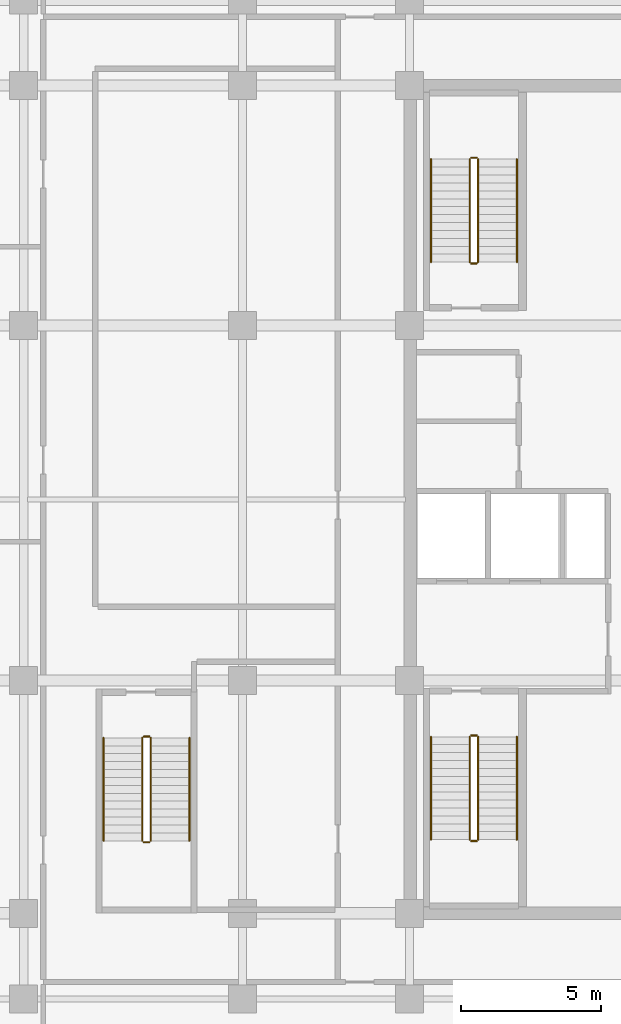
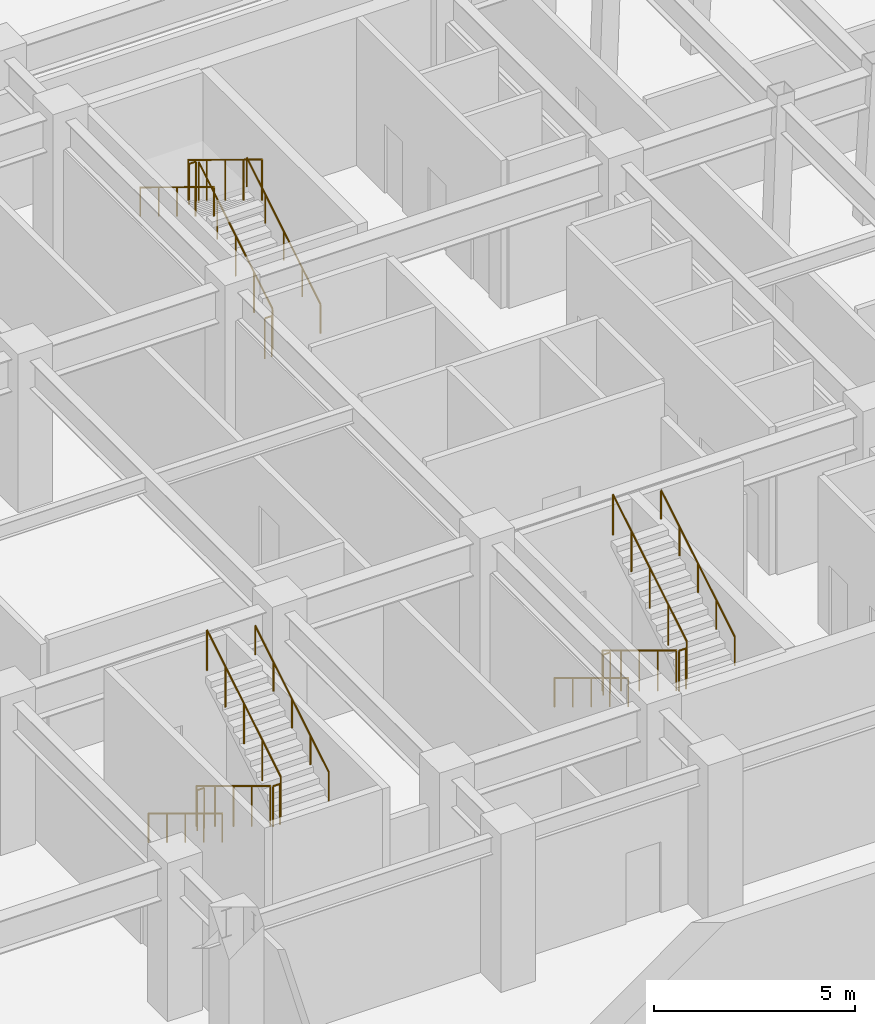
# One storey, part 9 of 9: 18 railings.
"""IFC4 building model written with IfcOpenShell, lengths in metres."""

import ifcopenshell
import ifcopenshell.guid

model = None  # the IFC model being written
_history = None  # IfcOwnerHistory: only IFC2X3 demands one
_inside = {}  # id of a spatial element -> (the spatial element, [elements in it])
_under = {}  # id of a project, library or spatial element -> (it, [spatial elements below it])
_declared = {}  # id of a project -> (the project, [libraries it declares])
_typed = {}  # id of a type object -> (the type object, [elements of that type])
_made_of = {}  # id of a material, layer set ... -> (it, [elements and type objects made of it])


def new_model(schema):
    """Start an empty IFC model of exactly this schema.

    Asked for "IFC4X3", IfcOpenShell would pick the latest addendum, in which some entities
    have other attributes; the version numbers below select the first issue.
    IFC2X3 requires an IfcOwnerHistory on every rooted entity: one is made here for all.
    """
    global model, _history
    if schema == "IFC4X3":
        model = ifcopenshell.file(schema_version=(4, 3, 0, 0))
    else:
        model = ifcopenshell.file(schema=schema)
    _inside.clear()
    _under.clear()
    _declared.clear()
    _typed.clear()
    _made_of.clear()
    _history = None
    if model.schema == "IFC2X3":
        org = make("IfcOrganization", Name="unknown")
        user = make(
            "IfcPersonAndOrganization",
            ThePerson=make("IfcPerson", FamilyName="unknown"),
            TheOrganization=org,
        )
        app = make(
            "IfcApplication",
            ApplicationDeveloper=org,
            Version="unknown",
            ApplicationFullName="unknown",
            ApplicationIdentifier="unknown",
        )
        _history = make(
            "IfcOwnerHistory",
            OwningUser=user,
            OwningApplication=app,
            ChangeAction="ADDED",
            CreationDate=0,
        )
    return model


def make(cls, **values):
    """One entity of the class cls with the attributes given. An attribute that is None is left unset."""
    return model.create_entity(
        cls, **{name: value for name, value in values.items() if value is not None}
    )


def rooted(cls, **values):
    """An entity with a GlobalId (a new one), such as an element, a storey or a relation."""
    return make(cls, GlobalId=ifcopenshell.guid.new(), OwnerHistory=_history, **values)


def si_unit(unit_type, name, prefix=None):
    """IfcSIUnit, for example si_unit("LENGTHUNIT", "METRE", prefix="MILLI")."""
    return make("IfcSIUnit", UnitType=unit_type, Prefix=prefix, Name=name)


def assignment(units):
    """IfcUnitAssignment: the units of a project."""
    return None if units is None else make("IfcUnitAssignment", Units=units)


def point(xyz):
    """IfcCartesianPoint."""
    return None if xyz is None else make("IfcCartesianPoint", Coordinates=xyz)


def direction(xyz):
    """IfcDirection."""
    return None if xyz is None else make("IfcDirection", DirectionRatios=xyz)


def frame(location, z_axis=None, x_axis=None):
    """IfcAxis2Placement3D, a coordinate frame: its origin and axes. An axis left out is left unset."""
    return make(
        "IfcAxis2Placement3D",
        Location=point(location),
        Axis=direction(z_axis),
        RefDirection=direction(x_axis),
    )


def frame_2d(location, x_axis=None):
    """IfcAxis2Placement2D, a coordinate frame in the plane: its origin and x axis."""
    return make(
        "IfcAxis2Placement2D", Location=point(location), RefDirection=direction(x_axis)
    )


def origin():
    """The frame at (0, 0, 0) with its axes left unset."""
    return frame((0.0, 0.0, 0.0))


def origin_2d():
    """The frame at (0, 0) in the plane with its x axis left unset."""
    return frame_2d((0.0, 0.0))


def place(relative_to, where):
    """IfcLocalPlacement: puts the frame where relative to a parent placement (None: the world)."""
    return make(
        "IfcLocalPlacement", PlacementRelTo=relative_to, RelativePlacement=where
    )


def context(
    kind, dimensions, precision=None, world=None, true_north=None, identifier=None
):
    """IfcGeometricRepresentationContext, for example the 3D "Model" context."""
    return make(
        "IfcGeometricRepresentationContext",
        ContextIdentifier=identifier,
        ContextType=kind,
        CoordinateSpaceDimension=dimensions,
        Precision=precision,
        WorldCoordinateSystem=world,
        TrueNorth=true_north,
    )


def subcontext(parent, identifier, kind, view, scale=None):
    """IfcGeometricRepresentationSubContext, for example "Body" below "Model"."""
    return make(
        "IfcGeometricRepresentationSubContext",
        ContextIdentifier=identifier,
        ContextType=kind,
        ParentContext=parent,
        TargetScale=scale,
        TargetView=view,
    )


def project(units=None, contexts=None):
    """IfcProject with its units and contexts."""
    return rooted(
        "IfcProject",
        Name="project",
        RepresentationContexts=contexts,
        UnitsInContext=assignment(units),
    )


def spatial(cls, under=None, at=None, **own):
    """A site, building, storey or space (cls), placed at a placement, below another one or the project."""
    s = rooted(cls, ObjectPlacement=at, **own)
    if under is not None:
        _under.setdefault(under.id(), (under, []))[1].append(s)
    return s


def profile(cls, at=None, kind="AREA", **sizes):
    """A parametric profile (cls). Its sizes go by their IFC names, for example OverallWidth=200.0."""
    return make(cls, ProfileType=kind, Position=at, **sizes)


def circle(**sizes):
    """IfcCircleProfileDef."""
    return profile("IfcCircleProfileDef", **sizes)


def extrude(swept, where, along, depth):
    """IfcExtrudedAreaSolid: the profile swept, set in the frame where, extruded along a direction by depth."""
    return make(
        "IfcExtrudedAreaSolid",
        SweptArea=swept,
        Position=where,
        ExtrudedDirection=direction(along),
        Depth=depth,
    )


def shape(context_of_items, identifier, shape_type, items):
    """IfcShapeRepresentation: the items that make up one representation, for example the "Body"."""
    return make(
        "IfcShapeRepresentation",
        ContextOfItems=context_of_items,
        RepresentationIdentifier=identifier,
        RepresentationType=shape_type,
        Items=items,
    )


def material(Name=None, Category=None):
    """IfcMaterial."""
    return make("IfcMaterial", Name=Name, Category=Category)


def made_of(thing, what):
    """Note that an element or type object is made of a material, layer set ...; save() writes the relation."""
    if what is not None:
        _made_of.setdefault(what.id(), (what, []))[1].append(thing)
    return thing


def type_object(cls, material=None, **own):
    """A type object (cls), such as IfcWallType, which elements share."""
    return made_of(rooted(cls, **own), material)


def element(
    cls,
    number,
    at=None,
    inside=None,
    cuts=None,
    type_object=None,
    material=None,
    context=None,
    identifier="Body",
    shape_type=None,
    held_by="IfcProductDefinitionShape",
    body=None,
    shapes=None,
    **own,
):
    """One element of the class cls, such as IfcWall. Its Tag is "e" and its number.

    at: its placement. inside: the storey or other place that contains it. cuts: it is an
    opening in that element (IfcRelVoidsElement). A single representation is given by context,
    identifier, shape_type and body (its items); several are given by shapes. held_by: the class
    of the entity that holds the representations. save() writes the other relations.
    """
    e = rooted(cls, Tag="e%d" % number, ObjectPlacement=at, **own)
    if body is not None:
        shapes = [shape(context, identifier, shape_type, body)]
    if shapes is not None:
        e.Representation = make(held_by, Representations=shapes)
    if inside is not None:
        _inside.setdefault(inside.id(), (inside, []))[1].append(e)
    if cuts is not None:
        rooted(
            "IfcRelVoidsElement", RelatingBuildingElement=cuts, RelatedOpeningElement=e
        )
    if type_object is not None:
        _typed.setdefault(type_object.id(), (type_object, []))[1].append(e)
    return made_of(e, material)


def aggregate(whole, parts):
    """IfcRelAggregates: a whole, such as a stair, and the parts it consists of."""
    return rooted("IfcRelAggregates", RelatingObject=whole, RelatedObjects=parts)


def save(model, path):
    """Write the relations noted so far, then the file.

    IfcRelAggregates (storeys below a building ...), IfcRelContainedInSpatialStructure (elements
    in a storey), IfcRelDefinesByType, IfcRelAssociatesMaterial and IfcRelDeclares: one each for
    every whole, place, type object, material and project.
    """
    for whole, parts in _under.values():
        aggregate(whole, parts)
    for where, things in _inside.values():
        rooted(
            "IfcRelContainedInSpatialStructure",
            RelatedElements=things,
            RelatingStructure=where,
        )
    for kind, things in _typed.values():
        rooted("IfcRelDefinesByType", RelatedObjects=things, RelatingType=kind)
    for what, things in _made_of.values():
        rooted("IfcRelAssociatesMaterial", RelatedObjects=things, RelatingMaterial=what)
    for by, libraries in _declared.values():
        rooted("IfcRelDeclares", RelatingContext=by, RelatedDefinitions=libraries)
    model.write(path)


model = new_model("IFC4")

# Units and contexts
model_context = context("Model", 3, precision=1e-05, world=origin(), true_north=direction((0.0, 1.0)))
body_context = subcontext(model_context, "Body", "Model", "MODEL_VIEW")
ifc_project = project(units=[si_unit("LENGTHUNIT", "METRE"), si_unit("AREAUNIT", "SQUARE_METRE"), si_unit("VOLUMEUNIT", "CUBIC_METRE"), si_unit("PLANEANGLEUNIT", "RADIAN"), si_unit("MASSUNIT", "GRAM", prefix="KILO")], contexts=[model_context])

# Site, building, storey
site_placement = place(None, origin())
site = spatial("IfcSite", under=ifc_project, at=site_placement, CompositionType="ELEMENT")
building_placement = place(site_placement, origin())
building = spatial("IfcBuilding", under=site, at=building_placement, Name="Ochreholt Gables", CompositionType="ELEMENT")
storey_placement = place(building_placement, frame((0.0, 0.0, -4.800048828125)))
storey = spatial("IfcBuildingStorey", under=building, at=storey_placement, Name="B1", CompositionType="ELEMENT", Elevation=-4.800048828125)

# Railings
ifc_material_1 = material(Name="Painted Steel Stair Guardrail", Category="steel")
railing_type_1 = type_object("IfcRailingType", Name="RL-ST-GUARD", PredefinedType="GUARDRAIL", material=ifc_material_1)
railing_1_placement = place(storey_placement, frame((26.35009765625, 15.5400390625, 0.17138671875)))
element("IfcRailing", 1, at=railing_1_placement, inside=storey, type_object=railing_type_1, Name="B1 ST-1 stair guard 1", PredefinedType="GUARDRAIL", context=body_context, shape_type="SweptSolid", body=[
    extrude(circle(Radius=0.02392578125, at=origin_2d()), frame((0.0, 0.0, 1.22607421875), z_axis=(0.0, -0.854480833863, 0.519482920374), x_axis=(1.0, 0.0, 0.0)), (0.0, 0.0, 1.0), 4.290283203125),
    extrude(circle(Radius=0.02099609375, at=origin_2d()), origin(), (0.0, 0.0, 1.0), 1.201904296875),
    extrude(circle(Radius=0.02099609375, at=origin_2d()), frame((0.0, -0.91650390625, 0.55712890625)), (0.0, 0.0, 1.0), 1.201904296875),
    extrude(circle(Radius=0.02099609375, at=origin_2d()), frame((0.0, -1.8330078125, 1.1142578125)), (0.0, 0.0, 1.0), 1.201904296875),
    extrude(circle(Radius=0.02099609375, at=origin_2d()), frame((0.0, -2.74951171875, 1.671630859375)), (0.0, 0.0, 1.0), 1.201904296875),
    extrude(circle(Radius=0.02099609375, at=origin_2d()), frame((0.0, -3.666015625, 2.228759765625)), (0.0, 0.0, 1.0), 1.201904296875),
])
railing_2_placement = place(storey_placement, frame((26.39990234375, 11.823974609375, 2.400146484375)))
element("IfcRailing", 2, at=railing_2_placement, inside=storey, type_object=railing_type_1, Name="B1 ST-1 stair guard 2", PredefinedType="GUARDRAIL", context=body_context, shape_type="SweptSolid", body=[
    extrude(circle(Radius=0.02392578125, at=origin_2d()), frame((0.0, 0.0, 1.22607421875), z_axis=(1.0, 0.0, 0.0), x_axis=(0.0, 1.0, 0.0)), (0.0, 0.0, 1.0), 0.2001953125),
    extrude(circle(Radius=0.02099609375, at=origin_2d()), origin(), (0.0, 0.0, 1.0), 1.201904296875),
    extrude(circle(Radius=0.02099609375, at=origin_2d()), frame((0.2001953125, 0.0, 0.0)), (0.0, 0.0, 1.0), 1.201904296875),
])
railing_3_placement = place(storey_placement, frame((26.64990234375, 11.8740234375, 2.571533203125)))
element("IfcRailing", 3, at=railing_3_placement, inside=storey, type_object=railing_type_1, Name="B1 ST-1 stair guard 3", PredefinedType="GUARDRAIL", context=body_context, shape_type="SweptSolid", body=[
    extrude(circle(Radius=0.02392578125, at=origin_2d()), frame((0.0, 0.0, 1.22607421875), z_axis=(0.0, 0.85450609292, 0.519441370283), x_axis=(-1.0, 0.0, 0.0)), (0.0, 0.0, 1.0), 4.290283203125),
    extrude(circle(Radius=0.02099609375, at=origin_2d()), origin(), (0.0, 0.0, 1.0), 1.201904296875),
    extrude(circle(Radius=0.02099609375, at=origin_2d()), frame((0.0, 0.91650390625, 0.55712890625)), (0.0, 0.0, 1.0), 1.201904296875),
    extrude(circle(Radius=0.02099609375, at=origin_2d()), frame((0.0, 1.8330078125, 1.1142578125)), (0.0, 0.0, 1.0), 1.201904296875),
    extrude(circle(Radius=0.02099609375, at=origin_2d()), frame((0.0, 2.74951171875, 1.67138671875)), (0.0, 0.0, 1.0), 1.201904296875),
    extrude(circle(Radius=0.02099609375, at=origin_2d()), frame((0.0, 3.666015625, 2.228515625)), (0.0, 0.0, 1.0), 1.201904296875),
])
railing_4_placement = place(storey_placement, frame((26.39990234375, 15.590087890625, 0.0)))
element("IfcRailing", 4, at=railing_4_placement, inside=storey, type_object=railing_type_1, Name="B1 ST-1 stair guard 4", PredefinedType="GUARDRAIL", context=body_context, shape_type="SweptSolid", body=[
    extrude(circle(Radius=0.02392578125, at=origin_2d()), frame((0.0, 0.0, 1.22607421875), z_axis=(1.0, 0.0, 0.0), x_axis=(0.0, 1.0, 0.0)), (0.0, 0.0, 1.0), 0.2001953125),
    extrude(circle(Radius=0.02099609375, at=origin_2d()), origin(), (0.0, 0.0, 1.0), 1.201904296875),
    extrude(circle(Radius=0.02099609375, at=origin_2d()), frame((0.2001953125, 0.0, 0.0)), (0.0, 0.0, 1.0), 1.201904296875),
])
railing_5_placement = place(storey_placement, frame((26.64990234375, 32.4599609375, 0.17138671875)))
element("IfcRailing", 5, at=railing_5_placement, inside=storey, type_object=railing_type_1, Name="B1 ST-2 stair guard 1", PredefinedType="GUARDRAIL", context=body_context, shape_type="SweptSolid", body=[
    extrude(circle(Radius=0.02392578125, at=origin_2d()), frame((0.0, 0.0, 1.22607421875), z_axis=(0.0, 0.854480833863, 0.519482920374), x_axis=(-1.0, 0.0, 0.0)), (0.0, 0.0, 1.0), 4.290283203125),
    extrude(circle(Radius=0.02099609375, at=origin_2d()), origin(), (0.0, 0.0, 1.0), 1.201904296875),
    extrude(circle(Radius=0.02099609375, at=origin_2d()), frame((0.0, 0.91650390625, 0.55712890625)), (0.0, 0.0, 1.0), 1.201904296875),
    extrude(circle(Radius=0.02099609375, at=origin_2d()), frame((0.0, 1.8330078125, 1.1142578125)), (0.0, 0.0, 1.0), 1.201904296875),
    extrude(circle(Radius=0.02099609375, at=origin_2d()), frame((0.0, 2.74951171875, 1.671630859375)), (0.0, 0.0, 1.0), 1.201904296875),
    extrude(circle(Radius=0.02099609375, at=origin_2d()), frame((0.0, 3.666015625, 2.228759765625)), (0.0, 0.0, 1.0), 1.201904296875),
])
railing_6_placement = place(storey_placement, frame((26.60009765625, 36.176025390625, 2.400146484375)))
element("IfcRailing", 6, at=railing_6_placement, inside=storey, type_object=railing_type_1, Name="B1 ST-2 stair guard 2", PredefinedType="GUARDRAIL", context=body_context, shape_type="SweptSolid", body=[
    extrude(circle(Radius=0.02392578125, at=origin_2d()), frame((0.0, 0.0, 1.22607421875), z_axis=(-1.0, 0.0, 0.0), x_axis=(0.0, -1.0, 0.0)), (0.0, 0.0, 1.0), 0.2001953125),
    extrude(circle(Radius=0.02099609375, at=origin_2d()), origin(), (0.0, 0.0, 1.0), 1.201904296875),
    extrude(circle(Radius=0.02099609375, at=origin_2d()), frame((-0.2001953125, 0.0, 0.0)), (0.0, 0.0, 1.0), 1.201904296875),
])
railing_7_placement = place(storey_placement, frame((26.35009765625, 36.1259765625, 2.571533203125)))
element("IfcRailing", 7, at=railing_7_placement, inside=storey, type_object=railing_type_1, Name="B1 ST-2 stair guard 3", PredefinedType="GUARDRAIL", context=body_context, shape_type="SweptSolid", body=[
    extrude(circle(Radius=0.02392578125, at=origin_2d()), frame((0.0, 0.0, 1.22607421875), z_axis=(0.0, -0.85450609292, 0.519441370283), x_axis=(1.0, 0.0, 0.0)), (0.0, 0.0, 1.0), 4.290283203125),
    extrude(circle(Radius=0.02099609375, at=origin_2d()), origin(), (0.0, 0.0, 1.0), 1.201904296875),
    extrude(circle(Radius=0.02099609375, at=origin_2d()), frame((0.0, -0.91650390625, 0.55712890625)), (0.0, 0.0, 1.0), 1.201904296875),
    extrude(circle(Radius=0.02099609375, at=origin_2d()), frame((0.0, -1.8330078125, 1.1142578125)), (0.0, 0.0, 1.0), 1.201904296875),
    extrude(circle(Radius=0.02099609375, at=origin_2d()), frame((0.0, -2.74951171875, 1.67138671875)), (0.0, 0.0, 1.0), 1.201904296875),
    extrude(circle(Radius=0.02099609375, at=origin_2d()), frame((0.0, -3.666015625, 2.228515625)), (0.0, 0.0, 1.0), 1.201904296875),
])
railing_8_placement = place(storey_placement, frame((26.60009765625, 32.409912109375, 0.0)))
element("IfcRailing", 8, at=railing_8_placement, inside=storey, type_object=railing_type_1, Name="B1 ST-2 stair guard 4", PredefinedType="GUARDRAIL", context=body_context, shape_type="SweptSolid", body=[
    extrude(circle(Radius=0.02392578125, at=origin_2d()), frame((0.0, 0.0, 1.22607421875), z_axis=(-1.0, 0.0, 0.0), x_axis=(0.0, -1.0, 0.0)), (0.0, 0.0, 1.0), 0.2001953125),
    extrude(circle(Radius=0.02099609375, at=origin_2d()), origin(), (0.0, 0.0, 1.0), 1.201904296875),
    extrude(circle(Radius=0.02099609375, at=origin_2d()), frame((-0.2001953125, 0.0, 0.0)), (0.0, 0.0, 1.0), 1.201904296875),
])
railing_9_placement = place(storey_placement, frame((14.679931640625, 15.5, 0.17138671875)))
element("IfcRailing", 9, at=railing_9_placement, inside=storey, type_object=railing_type_1, Name="B1 ST-P1 stair guard 1", PredefinedType="GUARDRAIL", context=body_context, shape_type="SweptSolid", body=[
    extrude(circle(Radius=0.02392578125, at=origin_2d()), frame((0.0, 0.0, 1.22607421875), z_axis=(0.0, -0.854480833863, 0.519482920374), x_axis=(1.0, 0.0, 0.0)), (0.0, 0.0, 1.0), 4.290283203125),
    extrude(circle(Radius=0.02099609375, at=origin_2d()), origin(), (0.0, 0.0, 1.0), 1.201904296875),
    extrude(circle(Radius=0.02099609375, at=origin_2d()), frame((0.0, -0.91650390625, 0.55712890625)), (0.0, 0.0, 1.0), 1.201904296875),
    extrude(circle(Radius=0.02099609375, at=origin_2d()), frame((0.0, -1.8330078125, 1.1142578125)), (0.0, 0.0, 1.0), 1.201904296875),
    extrude(circle(Radius=0.02099609375, at=origin_2d()), frame((0.0, -2.74951171875, 1.671630859375)), (0.0, 0.0, 1.0), 1.201904296875),
    extrude(circle(Radius=0.02099609375, at=origin_2d()), frame((0.0, -3.666015625, 2.228759765625)), (0.0, 0.0, 1.0), 1.201904296875),
])
railing_10_placement = place(storey_placement, frame((14.72998046875, 11.783935546875, 2.400146484375)))
element("IfcRailing", 10, at=railing_10_placement, inside=storey, type_object=railing_type_1, Name="B1 ST-P1 stair guard 2", PredefinedType="GUARDRAIL", context=body_context, shape_type="SweptSolid", body=[
    extrude(circle(Radius=0.02392578125, at=origin_2d()), frame((0.0, 0.0, 1.22607421875), z_axis=(1.0, 0.0, 0.0), x_axis=(0.0, 1.0, 0.0)), (0.0, 0.0, 1.0), 0.199951171875),
    extrude(circle(Radius=0.02099609375, at=origin_2d()), origin(), (0.0, 0.0, 1.0), 1.201904296875),
    extrude(circle(Radius=0.02099609375, at=origin_2d()), frame((0.199951171875, 0.0, 0.0)), (0.0, 0.0, 1.0), 1.201904296875),
])
railing_11_placement = place(storey_placement, frame((14.97998046875, 11.833984375, 2.571533203125)))
element("IfcRailing", 11, at=railing_11_placement, inside=storey, type_object=railing_type_1, Name="B1 ST-P1 stair guard 3", PredefinedType="GUARDRAIL", context=body_context, shape_type="SweptSolid", body=[
    extrude(circle(Radius=0.02392578125, at=origin_2d()), frame((0.0, 0.0, 1.22607421875), z_axis=(0.0, 0.85450609292, 0.519441370283), x_axis=(-1.0, 0.0, 0.0)), (0.0, 0.0, 1.0), 4.290283203125),
    extrude(circle(Radius=0.02099609375, at=origin_2d()), origin(), (0.0, 0.0, 1.0), 1.201904296875),
    extrude(circle(Radius=0.02099609375, at=origin_2d()), frame((0.0, 0.91650390625, 0.55712890625)), (0.0, 0.0, 1.0), 1.201904296875),
    extrude(circle(Radius=0.02099609375, at=origin_2d()), frame((0.0, 1.8330078125, 1.1142578125)), (0.0, 0.0, 1.0), 1.201904296875),
    extrude(circle(Radius=0.02099609375, at=origin_2d()), frame((0.0, 2.74951171875, 1.67138671875)), (0.0, 0.0, 1.0), 1.201904296875),
    extrude(circle(Radius=0.02099609375, at=origin_2d()), frame((0.0, 3.666015625, 2.228515625)), (0.0, 0.0, 1.0), 1.201904296875),
])
railing_12_placement = place(storey_placement, frame((14.72998046875, 15.550048828125, 0.0)))
element("IfcRailing", 12, at=railing_12_placement, inside=storey, type_object=railing_type_1, Name="B1 ST-P1 stair guard 4", PredefinedType="GUARDRAIL", context=body_context, shape_type="SweptSolid", body=[
    extrude(circle(Radius=0.02392578125, at=origin_2d()), frame((0.0, 0.0, 1.22607421875), z_axis=(1.0, 0.0, 0.0), x_axis=(0.0, 1.0, 0.0)), (0.0, 0.0, 1.0), 0.199951171875),
    extrude(circle(Radius=0.02099609375, at=origin_2d()), origin(), (0.0, 0.0, 1.0), 1.201904296875),
    extrude(circle(Radius=0.02099609375, at=origin_2d()), frame((0.199951171875, 0.0, 0.0)), (0.0, 0.0, 1.0), 1.201904296875),
])
ifc_material_2 = material(Name="Brushed Stainless Steel Wall Handrail", Category="steel")
railing_type_2 = type_object("IfcRailingType", Name="RL-ST-HAND", PredefinedType="HANDRAIL", material=ifc_material_2)
railing_13_placement = place(storey_placement, frame((24.969970703125, 15.5400390625, 0.17138671875)))
element("IfcRailing", 13, at=railing_13_placement, inside=storey, type_object=railing_type_2, Name="B1 ST-1 stair handrail 1", PredefinedType="HANDRAIL", context=body_context, shape_type="SweptSolid", body=[
    extrude(circle(Radius=0.02392578125, at=origin_2d()), frame((0.0, 0.0, 0.8759765625), z_axis=(0.0, -0.854480833863, 0.519482920374), x_axis=(1.0, 0.0, 0.0)), (0.0, 0.0, 1.0), 4.290283203125),
    extrude(circle(Radius=0.02099609375, at=origin_2d()), origin(), (0.0, 0.0, 1.0), 0.851806640625),
    extrude(circle(Radius=0.02099609375, at=origin_2d()), frame((0.0, -0.91650390625, 0.55712890625)), (0.0, 0.0, 1.0), 0.851806640625),
    extrude(circle(Radius=0.02099609375, at=origin_2d()), frame((0.0, -1.8330078125, 1.1142578125)), (0.0, 0.0, 1.0), 0.851806640625),
    extrude(circle(Radius=0.02099609375, at=origin_2d()), frame((0.0, -2.74951171875, 1.671630859375)), (0.0, 0.0, 1.0), 0.851806640625),
    extrude(circle(Radius=0.02099609375, at=origin_2d()), frame((0.0, -3.666015625, 2.228759765625)), (0.0, 0.0, 1.0), 0.851806640625),
])
railing_14_placement = place(storey_placement, frame((28.030029296875, 11.8740234375, 2.571533203125)))
element("IfcRailing", 14, at=railing_14_placement, inside=storey, type_object=railing_type_2, Name="B1 ST-1 stair handrail 2", PredefinedType="HANDRAIL", context=body_context, shape_type="SweptSolid", body=[
    extrude(circle(Radius=0.02392578125, at=origin_2d()), frame((0.0, 0.0, 0.8759765625), z_axis=(0.0, 0.85450609292, 0.519441370283), x_axis=(-1.0, 0.0, 0.0)), (0.0, 0.0, 1.0), 4.290283203125),
    extrude(circle(Radius=0.02099609375, at=origin_2d()), origin(), (0.0, 0.0, 1.0), 0.851806640625),
    extrude(circle(Radius=0.02099609375, at=origin_2d()), frame((0.0, 0.91650390625, 0.55712890625)), (0.0, 0.0, 1.0), 0.851806640625),
    extrude(circle(Radius=0.02099609375, at=origin_2d()), frame((0.0, 1.8330078125, 1.1142578125)), (0.0, 0.0, 1.0), 0.851806640625),
    extrude(circle(Radius=0.02099609375, at=origin_2d()), frame((0.0, 2.74951171875, 1.67138671875)), (0.0, 0.0, 1.0), 0.851806640625),
    extrude(circle(Radius=0.02099609375, at=origin_2d()), frame((0.0, 3.666015625, 2.228515625)), (0.0, 0.0, 1.0), 0.851806640625),
])
railing_15_placement = place(storey_placement, frame((28.030029296875, 32.4599609375, 0.17138671875)))
element("IfcRailing", 15, at=railing_15_placement, inside=storey, type_object=railing_type_2, Name="B1 ST-2 stair handrail 1", PredefinedType="HANDRAIL", context=body_context, shape_type="SweptSolid", body=[
    extrude(circle(Radius=0.02392578125, at=origin_2d()), frame((0.0, 0.0, 0.8759765625), z_axis=(0.0, 0.854480833863, 0.519482920374), x_axis=(-1.0, 0.0, 0.0)), (0.0, 0.0, 1.0), 4.290283203125),
    extrude(circle(Radius=0.02099609375, at=origin_2d()), origin(), (0.0, 0.0, 1.0), 0.851806640625),
    extrude(circle(Radius=0.02099609375, at=origin_2d()), frame((0.0, 0.91650390625, 0.55712890625)), (0.0, 0.0, 1.0), 0.851806640625),
    extrude(circle(Radius=0.02099609375, at=origin_2d()), frame((0.0, 1.8330078125, 1.1142578125)), (0.0, 0.0, 1.0), 0.851806640625),
    extrude(circle(Radius=0.02099609375, at=origin_2d()), frame((0.0, 2.74951171875, 1.671630859375)), (0.0, 0.0, 1.0), 0.851806640625),
    extrude(circle(Radius=0.02099609375, at=origin_2d()), frame((0.0, 3.666015625, 2.228759765625)), (0.0, 0.0, 1.0), 0.851806640625),
])
railing_16_placement = place(storey_placement, frame((24.969970703125, 36.1259765625, 2.571533203125)))
element("IfcRailing", 16, at=railing_16_placement, inside=storey, type_object=railing_type_2, Name="B1 ST-2 stair handrail 2", PredefinedType="HANDRAIL", context=body_context, shape_type="SweptSolid", body=[
    extrude(circle(Radius=0.02392578125, at=origin_2d()), frame((0.0, 0.0, 0.8759765625), z_axis=(0.0, -0.85450609292, 0.519441370283), x_axis=(1.0, 0.0, 0.0)), (0.0, 0.0, 1.0), 4.290283203125),
    extrude(circle(Radius=0.02099609375, at=origin_2d()), origin(), (0.0, 0.0, 1.0), 0.851806640625),
    extrude(circle(Radius=0.02099609375, at=origin_2d()), frame((0.0, -0.91650390625, 0.55712890625)), (0.0, 0.0, 1.0), 0.851806640625),
    extrude(circle(Radius=0.02099609375, at=origin_2d()), frame((0.0, -1.8330078125, 1.1142578125)), (0.0, 0.0, 1.0), 0.851806640625),
    extrude(circle(Radius=0.02099609375, at=origin_2d()), frame((0.0, -2.74951171875, 1.67138671875)), (0.0, 0.0, 1.0), 0.851806640625),
    extrude(circle(Radius=0.02099609375, at=origin_2d()), frame((0.0, -3.666015625, 2.228515625)), (0.0, 0.0, 1.0), 0.851806640625),
])
railing_17_placement = place(storey_placement, frame((13.300048828125, 15.5, 0.17138671875)))
element("IfcRailing", 17, at=railing_17_placement, inside=storey, type_object=railing_type_2, Name="B1 ST-P1 stair handrail 1", PredefinedType="HANDRAIL", context=body_context, shape_type="SweptSolid", body=[
    extrude(circle(Radius=0.02392578125, at=origin_2d()), frame((0.0, 0.0, 0.8759765625), z_axis=(0.0, -0.854480833863, 0.519482920374), x_axis=(1.0, 0.0, 0.0)), (0.0, 0.0, 1.0), 4.290283203125),
    extrude(circle(Radius=0.02099609375, at=origin_2d()), origin(), (0.0, 0.0, 1.0), 0.851806640625),
    extrude(circle(Radius=0.02099609375, at=origin_2d()), frame((0.0, -0.91650390625, 0.55712890625)), (0.0, 0.0, 1.0), 0.851806640625),
    extrude(circle(Radius=0.02099609375, at=origin_2d()), frame((0.0, -1.8330078125, 1.1142578125)), (0.0, 0.0, 1.0), 0.851806640625),
    extrude(circle(Radius=0.02099609375, at=origin_2d()), frame((0.0, -2.74951171875, 1.671630859375)), (0.0, 0.0, 1.0), 0.851806640625),
    extrude(circle(Radius=0.02099609375, at=origin_2d()), frame((0.0, -3.666015625, 2.228759765625)), (0.0, 0.0, 1.0), 0.851806640625),
])
railing_18_placement = place(storey_placement, frame((16.360107421875, 11.833984375, 2.571533203125)))
element("IfcRailing", 18, at=railing_18_placement, inside=storey, type_object=railing_type_2, Name="B1 ST-P1 stair handrail 2", PredefinedType="HANDRAIL", context=body_context, shape_type="SweptSolid", body=[
    extrude(circle(Radius=0.02392578125, at=origin_2d()), frame((0.0, 0.0, 0.8759765625), z_axis=(0.0, 0.85450609292, 0.519441370283), x_axis=(-1.0, 0.0, 0.0)), (0.0, 0.0, 1.0), 4.290283203125),
    extrude(circle(Radius=0.02099609375, at=origin_2d()), origin(), (0.0, 0.0, 1.0), 0.851806640625),
    extrude(circle(Radius=0.02099609375, at=origin_2d()), frame((0.0, 0.91650390625, 0.55712890625)), (0.0, 0.0, 1.0), 0.851806640625),
    extrude(circle(Radius=0.02099609375, at=origin_2d()), frame((0.0, 1.8330078125, 1.1142578125)), (0.0, 0.0, 1.0), 0.851806640625),
    extrude(circle(Radius=0.02099609375, at=origin_2d()), frame((0.0, 2.74951171875, 1.67138671875)), (0.0, 0.0, 1.0), 0.851806640625),
    extrude(circle(Radius=0.02099609375, at=origin_2d()), frame((0.0, 3.666015625, 2.228515625)), (0.0, 0.0, 1.0), 0.851806640625),
])

save(model, "model.ifc")
